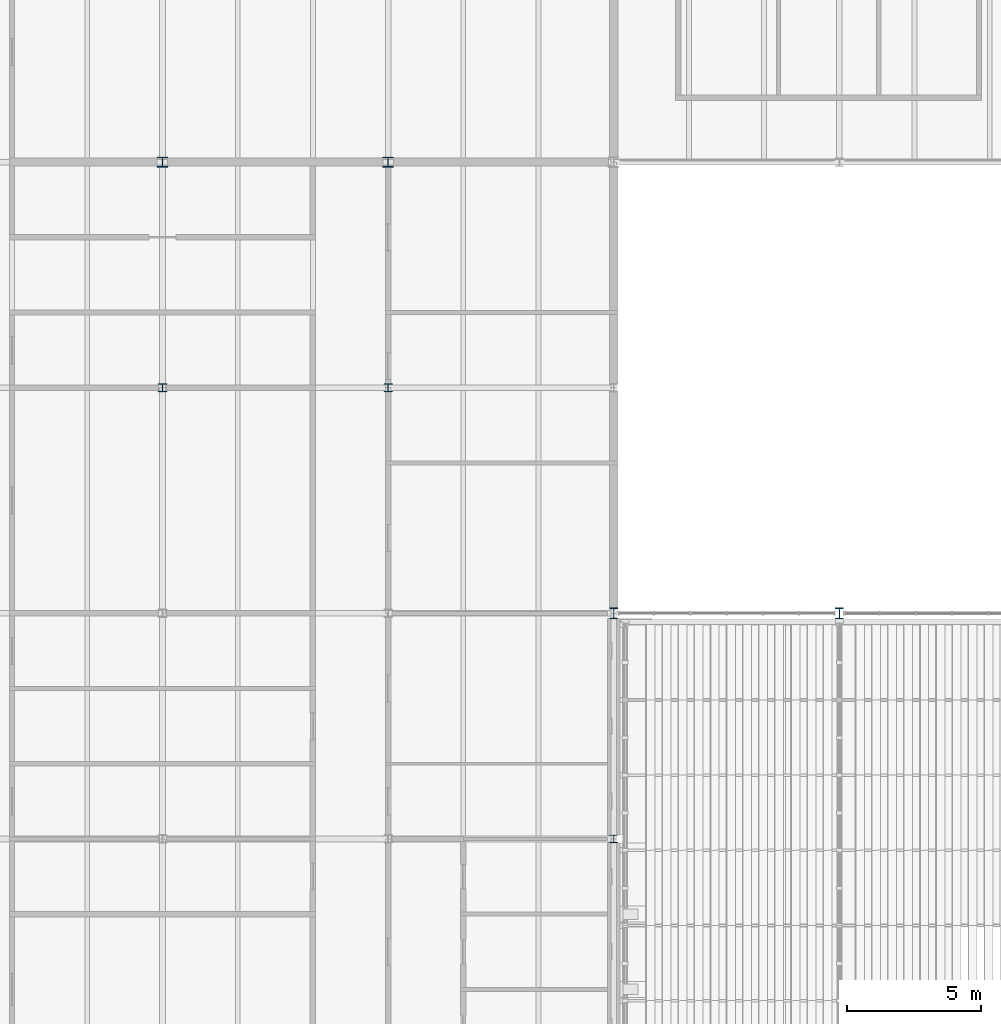
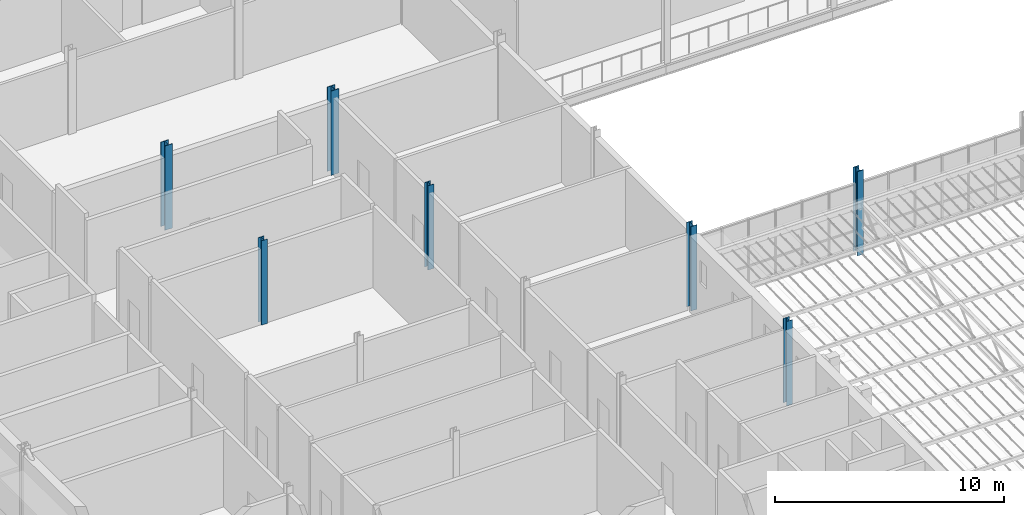
# One storey, part 2 of 129: 7 columns.
"""IFC4 building model written with IfcOpenShell, lengths in metres."""

from ifc_helpers import new_model, si_unit, direction, frame, origin, origin_2d, place, context, subcontext, project, spatial, i_section, extrude, material, material_profile, profile_set, type_object, element, save


model = new_model("IFC4")

# Units and contexts
model_context = context("Model", 3, precision=1e-05, world=origin(), true_north=direction((0.0, 1.0)))
body_context = subcontext(model_context, "Body", "Model", "MODEL_VIEW")
ifc_project = project(units=[si_unit("LENGTHUNIT", "METRE"), si_unit("AREAUNIT", "SQUARE_METRE"), si_unit("VOLUMEUNIT", "CUBIC_METRE"), si_unit("PLANEANGLEUNIT", "RADIAN"), si_unit("MASSUNIT", "GRAM", prefix="KILO")], contexts=[model_context])

# Site, building, storey
site_placement = place(None, origin())
site = spatial("IfcSite", under=ifc_project, at=site_placement, CompositionType="ELEMENT")
building_placement = place(site_placement, origin())
building = spatial("IfcBuilding", under=site, at=building_placement, Name="Ardhachandra Cancer Care Centre", CompositionType="ELEMENT")
storey_placement = place(building_placement, frame((0.0, 0.0, 4.5)))
storey = spatial("IfcBuildingStorey", under=building, at=storey_placement, Name="L01", CompositionType="ELEMENT", Elevation=4.5)

# Columns
ifc_material_1 = material(Name="Steel E350 (IS 2062)", Category="steel")
ifc_material_profile_1 = material_profile(ifc_material_1, i_section(OverallWidth=0.300048828125, OverallDepth=0.300048828125, WebThickness=0.010986328125, FlangeThickness=0.01904296875, FilletRadius=0.027099609375, at=origin_2d()), Name="WPB 300x300x117.03")
ifc_profile_set_1 = profile_set([ifc_material_profile_1], Name="Steel E350 (IS 2062)")
column_type_1 = type_object("IfcColumnType", Name="Column WPB 300x300x117.03", PredefinedType="COLUMN", material=ifc_profile_set_1)
for number, where, z_axis, x_axis, name in (
    (1, (27.60009765625, 63.0, 0.0), (0.0, 0.0, 1.0), (1.0, 0.0, 0.0), "Column G3 L01"),
    (2, (36.0, 63.0, 0.0), (0.0, 0.0, 1.0), (1.0, 0.0, 0.0), "Column G4 L01"),
):
    element("IfcColumn", number, at=place(storey_placement, frame(where, z_axis=z_axis, x_axis=x_axis)), inside=storey, type_object=column_type_1, Name=name, PredefinedType="COLUMN", context=body_context, shape_type="SweptSolid", body=[
        extrude(i_section(OverallWidth=0.300048828125, OverallDepth=0.300048828125, WebThickness=0.010986328125, FlangeThickness=0.01904296875, FilletRadius=0.027099609375, at=origin_2d()), origin(), (0.0, 0.0, 1.0), 4.5),
    ])
ifc_material_2 = material(Name="Steel E350 (IS 2062)", Category="steel")
ifc_material_profile_2 = material_profile(ifc_material_2, i_section(OverallWidth=0.300048828125, OverallDepth=0.2900390625, WebThickness=0.008544921875, FlangeThickness=0.013916015625, FilletRadius=0.027099609375, at=origin_2d()), Name="WPB 300x300x88.33")
ifc_profile_set_2 = profile_set([ifc_material_profile_2], Name="Steel E350 (IS 2062)")
column_type_2 = type_object("IfcColumnType", Name="Column WPB 300x300x88.33", PredefinedType="COLUMN", material=ifc_profile_set_2)
column_placement = place(storey_placement, frame((44.39990234375, 46.199951171875, 0.0), z_axis=(0.0, 0.0, 1.0), x_axis=(1.0, 0.0, 0.0)))
element("IfcColumn", 3, at=column_placement, inside=storey, type_object=column_type_2, Name="Column E5 L01", PredefinedType="COLUMN", context=body_context, shape_type="SweptSolid", body=[
    extrude(i_section(OverallWidth=0.300048828125, OverallDepth=0.2900390625, WebThickness=0.008544921875, FlangeThickness=0.013916015625, FilletRadius=0.027099609375, at=origin_2d()), origin(), (0.0, 0.0, 1.0), 4.5),
])
ifc_material_3 = material(Name="Steel E350 (IS 2062)", Category="steel")
ifc_material_profile_3 = material_profile(ifc_material_3, i_section(OverallWidth=0.300048828125, OverallDepth=0.39990234375, WebThickness=0.013427734375, FlangeThickness=0.02392578125, FilletRadius=0.027099609375, at=origin_2d()), Name="WPB 400x300x155.26")
ifc_profile_set_3 = profile_set([ifc_material_profile_3], Name="Steel E350 (IS 2062)")
column_type_3 = type_object("IfcColumnType", Name="Column WPB 400x300x155.26", PredefinedType="COLUMN", material=ifc_profile_set_3)
for number, where, z_axis, x_axis, name in (
    (4, (44.39990234375, 54.60009765625, 0.0), (0.0, 0.0, 1.0), (1.0, 0.0, 0.0), "Column F5 L01"),
    (5, (52.800048828125, 54.60009765625, 0.0), (0.0, 0.0, 1.0), (1.0, 0.0, 0.0), "Column F6 L01"),
):
    element("IfcColumn", number, at=place(storey_placement, frame(where, z_axis=z_axis, x_axis=x_axis)), inside=storey, type_object=column_type_3, Name=name, PredefinedType="COLUMN", context=body_context, shape_type="SweptSolid", body=[
        extrude(i_section(OverallWidth=0.300048828125, OverallDepth=0.39990234375, WebThickness=0.013427734375, FlangeThickness=0.02392578125, FilletRadius=0.027099609375, at=origin_2d()), origin(), (0.0, 0.0, 1.0), 4.5),
    ])
ifc_material_4 = material(Name="Steel E350 (IS 2062)", Category="steel")
ifc_material_profile_4 = material_profile(ifc_material_4, i_section(OverallWidth=0.39111328125, OverallDepth=0.367919921875, WebThickness=0.014892578125, FlangeThickness=0.024169921875, FilletRadius=0.027099609375, at=origin_2d()), Name="WPB 400x400x191.10")
ifc_profile_set_4 = profile_set([ifc_material_profile_4], Name="Steel E350 (IS 2062)")
column_type_4 = type_object("IfcColumnType", Name="Column WPB 400x400x191.10", PredefinedType="COLUMN", material=ifc_profile_set_4)
for number, where, z_axis, x_axis, name in (
    (6, (27.60009765625, 71.39990234375, 0.0), (0.0, 0.0, 1.0), (1.0, 0.0, 0.0), "Column H3 L01"),
    (7, (36.0, 71.39990234375, 0.0), (0.0, 0.0, 1.0), (1.0, 0.0, 0.0), "Column H4 L01"),
):
    element("IfcColumn", number, at=place(storey_placement, frame(where, z_axis=z_axis, x_axis=x_axis)), inside=storey, type_object=column_type_4, Name=name, PredefinedType="COLUMN", context=body_context, shape_type="SweptSolid", body=[
        extrude(i_section(OverallWidth=0.39111328125, OverallDepth=0.367919921875, WebThickness=0.014892578125, FlangeThickness=0.024169921875, FilletRadius=0.027099609375, at=origin_2d()), origin(), (0.0, 0.0, 1.0), 4.5),
    ])

save(model, "model.ifc")
